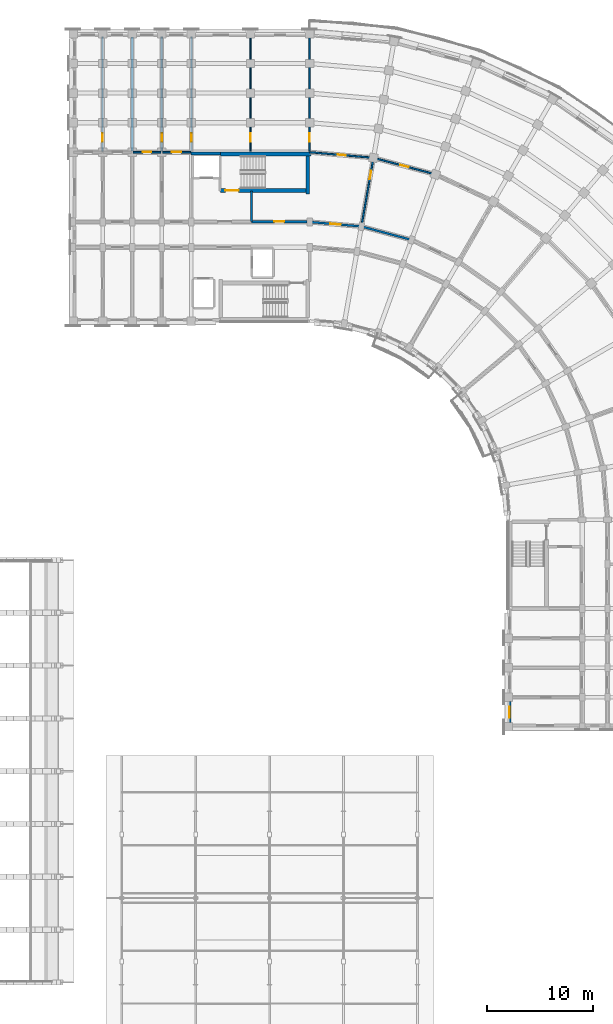
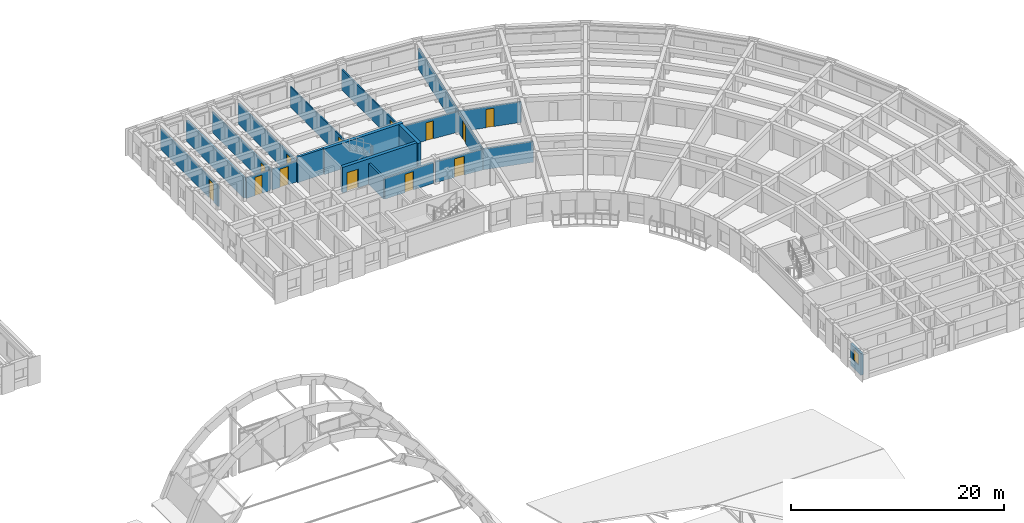
# One storey, part 50 of 76: 20 walls, 13 doors, 1 window, 14 openings.
"""IFC4 building model written with IfcOpenShell, lengths in metres."""

from ifc_helpers import new_model, si_unit, direction, frame, frame_2d, origin, place, context, subcontext, project, spatial, rectangle, extrude, material, layer, layer_set, type_object, element, fill, save


model = new_model("IFC4")

# Units and contexts
model_context = context("Model", 3, precision=1e-05, world=origin(), true_north=direction((0.0, 1.0)))
body_context = subcontext(model_context, "Body", "Model", "MODEL_VIEW")
ifc_project = project(units=[si_unit("LENGTHUNIT", "METRE"), si_unit("AREAUNIT", "SQUARE_METRE"), si_unit("VOLUMEUNIT", "CUBIC_METRE"), si_unit("PLANEANGLEUNIT", "RADIAN"), si_unit("MASSUNIT", "GRAM", prefix="KILO")], contexts=[model_context])

# Site, building, storey
site_placement = place(None, origin())
site = spatial("IfcSite", under=ifc_project, at=site_placement, CompositionType="ELEMENT")
building_placement = place(site_placement, origin())
building = spatial("IfcBuilding", under=site, at=building_placement, Name="Kiranvali Square Residences", CompositionType="ELEMENT")
storey_placement = place(building_placement, frame((0.0, 0.0, 8.699951171875)))
storey = spatial("IfcBuildingStorey", under=building, at=storey_placement, Name="L02", CompositionType="ELEMENT", Elevation=8.699951171875)

# Wall, opening, door
ifc_material_1 = material(Name="Autoclaved aerated concrete blockwork masonry", Category="masonry")
ifc_layer_1 = layer(ifc_material_1, 0.199951171875)
ifc_layer_set_1 = layer_set([ifc_layer_1], Name="Autoclaved aerated concrete blockwork masonry")
wall_type_1 = type_object("IfcWallType", Name="WL-COR-200", PredefinedType="STANDARD", material=ifc_layer_set_1)
wall_1_placement = place(storey_placement, frame((119.800048828125, 116.0, 0.0), z_axis=(0.0, 0.0, 1.0), x_axis=(0.996193663584, -0.087167566415, 0.0)))
wall_1 = element("IfcWall", 1, at=wall_1_placement, inside=storey, type_object=wall_type_1, Name="L02 architectural wall WL-L02-B-CCO-0", PredefinedType="STANDARD", context=body_context, shape_type="SweptSolid", body=[
    extrude(rectangle(XDim=4.91552734375, YDim=0.199951171875, at=frame_2d((2.457763671875, 0.0))), origin(), (0.0, 0.0, 1.0), 2.3720703125),
])
opening_1_placement = place(wall_1_placement, frame((1.957763671875, 0.0, 0.0)))
opening_1 = element("IfcOpeningElement", 2, at=opening_1_placement, cuts=wall_1, Name="Opening FD-APT-60", PredefinedType="OPENING", context=body_context, shape_type="SweptSolid", body=[
    extrude(rectangle(XDim=1.0, YDim=2.14990234375, at=frame_2d((0.5, 1.074951171875))), frame((0.0, 0.10986328125, 0.0), z_axis=(0.0, -1.0, 0.0), x_axis=(1.0, 0.0, 0.0)), (0.0, 0.0, 1.0), 0.219970703125),
])
ifc_material_2 = material(Name="Fire-rated acoustic hardwood and mineral-core door assembly", Category="wood")
door_type_1 = type_object("IfcDoorType", Name="DR-APT-1000", OperationType="NOTDEFINED", PredefinedType="DOOR", material=ifc_material_2)
door_1_placement = place(opening_1_placement, origin())
door_1 = element("IfcDoor", 3, at=door_1_placement, inside=storey, type_object=door_type_1, Name="L02 door DR-L02-1095 (DR-APT-1000)", OperationType="SINGLE_SWING_LEFT", OverallHeight=2.14990234375, OverallWidth=1.0, PredefinedType="DOOR", context=body_context, shape_type="SweptSolid", body=[
    extrude(rectangle(XDim=1.0, YDim=2.14990234375, at=frame_2d((0.5, 1.074951171875))), frame((0.0, 0.02490234375, 0.0), z_axis=(0.0, -1.0, 0.0), x_axis=(1.0, 0.0, 0.0)), (0.0, 0.0, 1.0), 0.050048828125),
])
fill(opening_1, door_1)

# Walls
wall_2_placement = place(storey_placement, frame((124.69677734375, 115.571533203125, 0.0), z_axis=(0.0, 0.0, 1.0), x_axis=(0.965930095386, -0.258803112091, 0.0)))
element("IfcWall", 4, at=wall_2_placement, inside=storey, type_object=wall_type_1, Name="L02 architectural wall WL-L02-B-CCO-1", PredefinedType="STANDARD", context=body_context, shape_type="SweptSolid", body=[
    extrude(rectangle(XDim=4.915771484375, YDim=0.199951171875, at=frame_2d((2.4580078125, 0.0))), origin(), (0.0, 0.0, 1.0), 2.3720703125),
])
ifc_layer_2 = layer(ifc_material_1, 0.219970703125)
ifc_layer_set_2 = layer_set([ifc_layer_2], Name="Autoclaved aerated concrete blockwork masonry")
wall_type_2 = type_object("IfcWallType", Name="WL-DEM-220", PredefinedType="STANDARD", material=ifc_layer_set_2)
wall_3_placement = place(storey_placement, frame((103.0, 122.699951171875, 0.0), z_axis=(0.0, 0.0, 1.0), x_axis=(0.0, 1.0, 0.0)))
element("IfcWall", 5, at=wall_3_placement, inside=storey, type_object=wall_type_2, Name="L02 architectural wall WL-L02-B-A1TO2-2", PredefinedType="STANDARD", context=body_context, shape_type="SweptSolid", body=[
    extrude(rectangle(XDim=10.820068359375, YDim=0.219970703125, at=frame_2d((5.41015625, 0.0))), origin(), (0.0, 0.0, 1.0), 2.3720703125),
])

# Wall, opening, window
ifc_material_3 = material(Name="Breathable lime-rendered clay brick masonry", Category="masonry")
ifc_layer_3 = layer(ifc_material_3, 0.27490234375)
ifc_layer_set_3 = layer_set([ifc_layer_3], Name="Breathable lime-rendered clay brick masonry")
wall_type_3 = type_object("IfcWallType", Name="WL-EXT-275", PredefinedType="STANDARD", material=ifc_layer_set_3)
wall_4_placement = place(storey_placement, frame((138.72509765625, 70.596435546875, 0.0), z_axis=(0.0, 0.0, 1.0), x_axis=(0.0, -1.0, 0.0)))
wall_4 = element("IfcWall", 6, at=wall_4_placement, inside=storey, type_object=wall_type_3, Name="L02 exterior wall B-L02-A2I-3", PredefinedType="STANDARD", context=body_context, shape_type="SweptSolid", body=[
    extrude(rectangle(XDim=1.992919921875, YDim=0.27490234375, at=frame_2d((0.99658203125, 0.0))), origin(), (0.0, 0.0, 1.0), 2.47216796875),
])
opening_2_placement = place(wall_4_placement, frame((0.471435546875, 0.0, 0.8798828125)))
opening_2 = element("IfcOpeningElement", 7, at=opening_2_placement, cuts=wall_4, Name="Opening W-24", PredefinedType="OPENING", context=body_context, shape_type="SweptSolid", body=[
    extrude(rectangle(XDim=1.050048828125, YDim=1.25, at=frame_2d((0.52490234375, 0.625))), frame((0.0, 0.1474609375, 0.0), z_axis=(0.0, -1.0, 0.0), x_axis=(1.0, 0.0, 0.0)), (0.0, 0.0, 1.0), 0.294921875),
])
ifc_material_4 = material(Name="Solar-control low-e double glazing", Category="glass")
window_type = type_object("IfcWindowType", Name="WIN-COR-1050x1250", PartitioningType="SINGLE_PANEL", PredefinedType="WINDOW", material=ifc_material_4)
window_placement = place(opening_2_placement, origin())
window = element("IfcWindow", 8, at=window_placement, inside=storey, type_object=window_type, Name="L02 recessed window B-L02-A2I-3", OverallHeight=1.25, OverallWidth=1.050048828125, PartitioningType="SINGLE_PANEL", PredefinedType="WINDOW", context=body_context, shape_type="SweptSolid", body=[
    extrude(rectangle(XDim=1.050048828125, YDim=1.25, at=frame_2d((0.52490234375, 0.625))), frame((0.0, 0.030029296875, 0.0), z_axis=(0.0, -1.0, 0.0), x_axis=(1.0, 0.0, 0.0)), (0.0, 0.0, 1.0), 0.06005859375),
])
fill(opening_2, window)

# Wall
ifc_layer_4 = layer(ifc_material_1, 0.199951171875)
ifc_layer_set_4 = layer_set([ifc_layer_4], Name="Autoclaved aerated concrete blockwork masonry")
wall_type_4 = type_object("IfcWallType", Name="WL-FFL-200", PredefinedType="STANDARD", material=ifc_layer_set_4)
wall_5_placement = place(storey_placement, frame((114.300048828125, 116.02001953125, 0.0), z_axis=(0.0, 0.0, 1.0), x_axis=(0.0, 1.0, 0.0)))
element("IfcWall", 9, at=wall_5_placement, inside=storey, type_object=wall_type_4, Name="L02 architectural wall WL-L02-B-FF-DIV", PredefinedType="STANDARD", context=body_context, shape_type="SweptSolid", body=[
    extrude(rectangle(XDim=2.929931640625, YDim=0.199951171875, at=frame_2d((1.46484375, 0.0))), origin(), (0.0, 0.0, 1.0), 2.3720703125),
])

# Wall, opening, door
ifc_material_5 = material(Name="Acoustic gypsum board drylined partition", Category="gypsum")
ifc_layer_5 = layer(ifc_material_5, 0.125)
ifc_layer_set_5 = layer_set([ifc_layer_5], Name="Acoustic gypsum board drylined partition")
wall_type_5 = type_object("IfcWallType", Name="WL-PRT-125", PredefinedType="PARTITIONING", material=ifc_layer_set_5)
wall_6_placement = place(storey_placement, frame((114.199951171875, 122.699951171875, 0.0), z_axis=(0.0, 0.0, 1.0), x_axis=(0.0, 1.0, 0.0)))
wall_6 = element("IfcWall", 10, at=wall_6_placement, inside=storey, type_object=wall_type_5, Name="L02 architectural wall WL-L02-B-CF-MID", PredefinedType="PARTITIONING", context=body_context, shape_type="SweptSolid", body=[
    extrude(rectangle(XDim=10.820068359375, YDim=0.125, at=frame_2d((5.41015625, 0.0))), origin(), (0.0, 0.0, 1.0), 2.3720703125),
])
opening_3_placement = place(wall_6_placement, frame((0.8994140625, 0.0, 0.0)))
opening_3 = element("IfcOpeningElement", 11, at=opening_3_placement, cuts=wall_6, Name="Opening ID-WET", PredefinedType="OPENING", context=body_context, shape_type="SweptSolid", body=[
    extrude(rectangle(XDim=0.800048828125, YDim=2.10009765625, at=frame_2d((0.39990234375, 1.050048828125))), frame((0.0, 0.072509765625, 0.0), z_axis=(0.0, -1.0, 0.0), x_axis=(1.0, 0.0, 0.0)), (0.0, 0.0, 1.0), 0.14501953125),
])
ifc_material_6 = material(Name="Solid seasoned teak hardwood joinery", Category="wood")
door_type_2 = type_object("IfcDoorType", Name="DR-WET-800", OperationType="NOTDEFINED", PredefinedType="DOOR", material=ifc_material_6)
door_2_placement = place(opening_3_placement, frame((0.800048828125, 0.0, 0.0), z_axis=(0.0, 0.0, 1.0), x_axis=(-1.0, 0.0, 0.0)))
door_2 = element("IfcDoor", 12, at=door_2_placement, inside=storey, type_object=door_type_2, Name="L02 door DR-L02-1074 (DR-WET-800)", OperationType="SINGLE_SWING_RIGHT", OverallHeight=2.10009765625, OverallWidth=0.800048828125, PredefinedType="DOOR", context=body_context, shape_type="SweptSolid", body=[
    extrude(rectangle(XDim=0.800048828125, YDim=2.10009765625, at=frame_2d((0.39990234375, 1.050048828125))), frame((0.0, 0.02490234375, 0.0), z_axis=(0.0, -1.0, 0.0), x_axis=(1.0, 0.0, 0.0)), (0.0, 0.0, 1.0), 0.050048828125),
])
fill(opening_3, door_2)

ifc_layer_6 = layer(ifc_material_5, 0.14990234375)
ifc_layer_set_6 = layer_set([ifc_layer_6], Name="Acoustic gypsum board drylined partition")
wall_type_6 = type_object("IfcWallType", Name="WL-PRT-150", PredefinedType="PARTITIONING", material=ifc_layer_set_6)
wall_7_placement = place(storey_placement, frame((108.60009765625, 122.699951171875, 0.0), z_axis=(0.0, 0.0, 1.0), x_axis=(0.0, 1.0, 0.0)))
wall_7 = element("IfcWall", 13, at=wall_7_placement, inside=storey, type_object=wall_type_6, Name="L02 architectural wall WL-L02-B-A1TO2-0", PredefinedType="PARTITIONING", context=body_context, shape_type="SweptSolid", body=[
    extrude(rectangle(XDim=10.820068359375, YDim=0.14990234375, at=frame_2d((5.41015625, 0.0))), origin(), (0.0, 0.0, 1.0), 2.3720703125),
])
opening_4_placement = place(wall_7_placement, frame((0.8994140625, 0.0, 0.0)))
opening_4 = element("IfcOpeningElement", 14, at=opening_4_placement, cuts=wall_7, Name="Opening ID-WET", PredefinedType="OPENING", context=body_context, shape_type="SweptSolid", body=[
    extrude(rectangle(XDim=0.800048828125, YDim=2.10009765625, at=frame_2d((0.39990234375, 1.050048828125))), frame((0.0, 0.0849609375, 0.0), z_axis=(0.0, -1.0, 0.0), x_axis=(1.0, 0.0, 0.0)), (0.0, 0.0, 1.0), 0.169921875),
])
door_3_placement = place(opening_4_placement, origin())
door_3 = element("IfcDoor", 15, at=door_3_placement, inside=storey, type_object=door_type_2, Name="L02 door DR-L02-1083 (DR-WET-800)", OperationType="SINGLE_SWING_LEFT", OverallHeight=2.10009765625, OverallWidth=0.800048828125, PredefinedType="DOOR", context=body_context, shape_type="SweptSolid", body=[
    extrude(rectangle(XDim=0.800048828125, YDim=2.10009765625, at=frame_2d((0.39990234375, 1.050048828125))), frame((0.0, 0.02490234375, 0.0), z_axis=(0.0, -1.0, 0.0), x_axis=(1.0, 0.0, 0.0)), (0.0, 0.0, 1.0), 0.050048828125),
])
fill(opening_4, door_3)

wall_8_placement = place(storey_placement, frame((105.800048828125, 122.699951171875, 0.0), z_axis=(0.0, 0.0, 1.0), x_axis=(0.0, 1.0, 0.0)))
wall_8 = element("IfcWall", 16, at=wall_8_placement, inside=storey, type_object=wall_type_6, Name="L02 architectural wall WL-L02-B-A1TO2-1", PredefinedType="PARTITIONING", context=body_context, shape_type="SweptSolid", body=[
    extrude(rectangle(XDim=10.820068359375, YDim=0.14990234375, at=frame_2d((5.41015625, 0.0))), origin(), (0.0, 0.0, 1.0), 2.3720703125),
])
opening_5_placement = place(wall_8_placement, frame((0.8994140625, 0.0, 0.0)))
opening_5 = element("IfcOpeningElement", 17, at=opening_5_placement, cuts=wall_8, Name="Opening ID-WET", PredefinedType="OPENING", context=body_context, shape_type="SweptSolid", body=[
    extrude(rectangle(XDim=0.800048828125, YDim=2.10009765625, at=frame_2d((0.39990234375, 1.050048828125))), frame((0.0, 0.0849609375, 0.0), z_axis=(0.0, -1.0, 0.0), x_axis=(1.0, 0.0, 0.0)), (0.0, 0.0, 1.0), 0.169921875),
])
door_4_placement = place(opening_5_placement, frame((0.800048828125, 0.0, 0.0), z_axis=(0.0, 0.0, 1.0), x_axis=(-1.0, 0.0, 0.0)))
door_4 = element("IfcDoor", 18, at=door_4_placement, inside=storey, type_object=door_type_2, Name="L02 door DR-L02-1086 (DR-WET-800)", OperationType="SINGLE_SWING_RIGHT", OverallHeight=2.10009765625, OverallWidth=0.800048828125, PredefinedType="DOOR", context=body_context, shape_type="SweptSolid", body=[
    extrude(rectangle(XDim=0.800048828125, YDim=2.10009765625, at=frame_2d((0.39990234375, 1.050048828125))), frame((0.0, 0.02490234375, 0.0), z_axis=(0.0, -1.0, 0.0), x_axis=(1.0, 0.0, 0.0)), (0.0, 0.0, 1.0), 0.050048828125),
])
fill(opening_5, door_4)

wall_9_placement = place(storey_placement, frame((100.199951171875, 122.699951171875, 0.0), z_axis=(0.0, 0.0, 1.0), x_axis=(0.0, 1.0, 0.0)))
wall_9 = element("IfcWall", 19, at=wall_9_placement, inside=storey, type_object=wall_type_6, Name="L02 architectural wall WL-L02-B-A1TO2-3", PredefinedType="PARTITIONING", context=body_context, shape_type="SweptSolid", body=[
    extrude(rectangle(XDim=10.820068359375, YDim=0.14990234375, at=frame_2d((5.41015625, 0.0))), origin(), (0.0, 0.0, 1.0), 2.3720703125),
])
opening_6_placement = place(wall_9_placement, frame((0.8994140625, 0.0, 0.0)))
opening_6 = element("IfcOpeningElement", 20, at=opening_6_placement, cuts=wall_9, Name="Opening ID-WET", PredefinedType="OPENING", context=body_context, shape_type="SweptSolid", body=[
    extrude(rectangle(XDim=0.800048828125, YDim=2.10009765625, at=frame_2d((0.39990234375, 1.050048828125))), frame((0.0, 0.0849609375, 0.0), z_axis=(0.0, -1.0, 0.0), x_axis=(1.0, 0.0, 0.0)), (0.0, 0.0, 1.0), 0.169921875),
])
door_5_placement = place(opening_6_placement, origin())
door_5 = element("IfcDoor", 21, at=door_5_placement, inside=storey, type_object=door_type_2, Name="L02 door DR-L02-1089 (DR-WET-800)", OperationType="SINGLE_SWING_LEFT", OverallHeight=2.10009765625, OverallWidth=0.800048828125, PredefinedType="DOOR", context=body_context, shape_type="SweptSolid", body=[
    extrude(rectangle(XDim=0.800048828125, YDim=2.10009765625, at=frame_2d((0.39990234375, 1.050048828125))), frame((0.0, 0.02490234375, 0.0), z_axis=(0.0, -1.0, 0.0), x_axis=(1.0, 0.0, 0.0)), (0.0, 0.0, 1.0), 0.050048828125),
])
fill(opening_6, door_5)

wall_10_placement = place(storey_placement, frame((119.800048828125, 122.699951171875, 0.0), z_axis=(0.0, 0.0, 1.0), x_axis=(0.0, 1.0, 0.0)))
wall_10 = element("IfcWall", 22, at=wall_10_placement, inside=storey, type_object=wall_type_6, Name="L02 architectural wall WL-L02-B-RADO-0", PredefinedType="PARTITIONING", context=body_context, shape_type="SweptSolid", body=[
    extrude(rectangle(XDim=10.820068359375, YDim=0.14990234375, at=frame_2d((5.41015625, 0.0))), origin(), (0.0, 0.0, 1.0), 2.3720703125),
])
opening_7_placement = place(wall_10_placement, frame((0.8994140625, 0.0, 0.0)))
opening_7 = element("IfcOpeningElement", 23, at=opening_7_placement, cuts=wall_10, Name="Opening ID-WET", PredefinedType="OPENING", context=body_context, shape_type="SweptSolid", body=[
    extrude(rectangle(XDim=0.800048828125, YDim=2.10009765625, at=frame_2d((0.39990234375, 1.050048828125))), frame((0.0, 0.0849609375, 0.0), z_axis=(0.0, -1.0, 0.0), x_axis=(1.0, 0.0, 0.0)), (0.0, 0.0, 1.0), 0.169921875),
])
door_6_placement = place(opening_7_placement, frame((0.800048828125, 0.0, 0.0), z_axis=(0.0, 0.0, 1.0), x_axis=(-1.0, 0.0, 0.0)))
door_6 = element("IfcDoor", 24, at=door_6_placement, inside=storey, type_object=door_type_2, Name="L02 door DR-L02-1090 (DR-WET-800)", OperationType="SINGLE_SWING_RIGHT", OverallHeight=2.10009765625, OverallWidth=0.800048828125, PredefinedType="DOOR", context=body_context, shape_type="SweptSolid", body=[
    extrude(rectangle(XDim=0.800048828125, YDim=2.10009765625, at=frame_2d((0.39990234375, 1.050048828125))), frame((0.0, 0.02490234375, 0.0), z_axis=(0.0, -1.0, 0.0), x_axis=(1.0, 0.0, 0.0)), (0.0, 0.0, 1.0), 0.050048828125),
])
fill(opening_7, door_6)

wall_11_placement = place(storey_placement, frame((124.71435546875, 115.670166015625, 0.0), z_axis=(0.0, 0.0, 1.0), x_axis=(0.173646216546, 0.984808098809, 0.0)))
wall_11 = element("IfcWall", 25, at=wall_11_placement, inside=storey, type_object=wall_type_6, Name="L02 architectural wall WL-L02-B-RADO-1", PredefinedType="PARTITIONING", context=body_context, shape_type="SweptSolid", body=[
    extrude(rectangle(XDim=17.419921875, YDim=0.14990234375, at=frame_2d((8.7099609375, 0.0))), origin(), (0.0, 0.0, 1.0), 2.3720703125),
])
opening_8_placement = place(wall_11_placement, frame((4.44970703125, 0.0, 0.0)))
opening_8 = element("IfcOpeningElement", 26, at=opening_8_placement, cuts=wall_11, Name="Opening ID-WET", PredefinedType="OPENING", context=body_context, shape_type="SweptSolid", body=[
    extrude(rectangle(XDim=0.800048828125, YDim=2.10009765625, at=frame_2d((0.39990234375, 1.050048828125))), frame((0.0, 0.0849609375, 0.0), z_axis=(0.0, -1.0, 0.0), x_axis=(1.0, 0.0, 0.0)), (0.0, 0.0, 1.0), 0.169921875),
])
door_7_placement = place(opening_8_placement, origin())
door_7 = element("IfcDoor", 27, at=door_7_placement, inside=storey, type_object=door_type_2, Name="L02 door DR-L02-1091 (DR-WET-800)", OperationType="SINGLE_SWING_LEFT", OverallHeight=2.10009765625, OverallWidth=0.800048828125, PredefinedType="DOOR", context=body_context, shape_type="SweptSolid", body=[
    extrude(rectangle(XDim=0.800048828125, YDim=2.10009765625, at=frame_2d((0.39990234375, 1.050048828125))), frame((0.0, 0.02490234375, 0.0), z_axis=(0.0, -1.0, 0.0), x_axis=(1.0, 0.0, 0.0)), (0.0, 0.0, 1.0), 0.050048828125),
])
fill(opening_8, door_7)

ifc_layer_7 = layer(ifc_material_1, 0.199951171875)
ifc_layer_set_7 = layer_set([ifc_layer_7], Name="Autoclaved aerated concrete blockwork masonry")
wall_type_7 = type_object("IfcWallType", Name="WL-SHF-200", PredefinedType="STANDARD", material=ifc_layer_set_7)
wall_12_placement = place(storey_placement, frame((119.550048828125, 116.02001953125, 0.0), z_axis=(0.0, 0.0, 1.0), x_axis=(-1.0, 0.0, 0.0)))
wall_12 = element("IfcWall", 28, at=wall_12_placement, inside=storey, type_object=wall_type_7, Name="L02 architectural wall WL-L02-B-RSR-COR", PredefinedType="STANDARD", context=body_context, shape_type="SweptSolid", body=[
    extrude(rectangle(XDim=5.25, YDim=0.199951171875, at=frame_2d((2.625, 0.0))), origin(), (0.0, 0.0, 1.0), 2.3720703125),
])
opening_9_placement = place(wall_12_placement, frame((2.1650390625, 0.0, 0.0)))
opening_9 = element("IfcOpeningElement", 29, at=opening_9_placement, cuts=wall_12, Name="Opening FD-SVC-120", PredefinedType="OPENING", context=body_context, shape_type="SweptSolid", body=[
    extrude(rectangle(XDim=0.919921875, YDim=2.10009765625, at=frame_2d((0.4599609375, 1.050048828125))), frame((0.0, 0.10986328125, 0.0), z_axis=(0.0, -1.0, 0.0), x_axis=(1.0, 0.0, 0.0)), (0.0, 0.0, 1.0), 0.219970703125),
])
door_type_3 = type_object("IfcDoorType", Name="DR-SVC-900", OperationType="NOTDEFINED", PredefinedType="DOOR", material=ifc_material_2)
door_8_placement = place(opening_9_placement, frame((0.919921875, 0.0, 0.0), z_axis=(0.0, 0.0, 1.0), x_axis=(-1.0, 0.0, 0.0)))
door_8 = element("IfcDoor", 30, at=door_8_placement, inside=storey, type_object=door_type_3, Name="L02 door DR-L02-1064 (DR-SVC-900)", OperationType="SINGLE_SWING_RIGHT", OverallHeight=2.10009765625, OverallWidth=0.919921875, PredefinedType="DOOR", context=body_context, shape_type="SweptSolid", body=[
    extrude(rectangle(XDim=0.919921875, YDim=2.10009765625, at=frame_2d((0.4599609375, 1.050048828125))), frame((0.0, 0.02490234375, 0.0), z_axis=(0.0, -1.0, 0.0), x_axis=(1.0, 0.0, 0.0)), (0.0, 0.0, 1.0), 0.050048828125),
])
fill(opening_9, door_8)

# Walls
ifc_material_7 = material(Name="Concrete M45 (45 MPa)", Category="concrete")
ifc_layer_8 = layer(ifc_material_7, 0.25)
ifc_layer_set_8 = layer_set([ifc_layer_8], Name="Concrete M45 (45 MPa)")
wall_type_8 = type_object("IfcWallType", Name="WL-SHR-250", PredefinedType="SHEAR", material=ifc_layer_set_8)
wall_13_placement = place(storey_placement, frame((111.35009765625, 122.47509765625, 0.0), z_axis=(0.0, 0.0, 1.0), x_axis=(-1.0, 0.0, 0.0)))
element("IfcWall", 31, at=wall_13_placement, inside=storey, type_object=wall_type_8, Name="Block B core shear wall SW-BFF-BK-L02", PredefinedType="SHEAR", context=body_context, shape_type="SweptSolid", body=[
    extrude(rectangle(XDim=2.800048828125, YDim=0.25, at=frame_2d((1.39990234375, 0.0))), origin(), (0.0, 0.0, 1.0), 2.929931640625),
])
ifc_material_8 = material(Name="Concrete M50 (50 MPa)", Category="concrete")
ifc_layer_9 = layer(ifc_material_8, 0.35009765625)
ifc_layer_set_9 = layer_set([ifc_layer_9], Name="Concrete M50 (50 MPa)")
wall_type_9 = type_object("IfcWallType", Name="WL-SHR-350", PredefinedType="SHEAR", material=ifc_layer_set_9)
wall_14_placement = place(storey_placement, frame((119.919921875, 122.425048828125, 0.0), z_axis=(0.0, 0.0, 1.0), x_axis=(-1.0, 0.0, 0.0)))
element("IfcWall", 32, at=wall_14_placement, inside=storey, type_object=wall_type_9, Name="Block B core shear wall SW-B1-OUT-L02", PredefinedType="SHEAR", context=body_context, shape_type="SweptSolid", body=[
    extrude(rectangle(XDim=8.544921875, YDim=0.35009765625, at=frame_2d((4.2724609375, 0.0))), origin(), (0.0, 0.0, 1.0), 2.929931640625),
])

# Wall, opening, door
wall_15_placement = place(storey_placement, frame((119.449951171875, 118.97509765625, 0.0), z_axis=(0.0, 0.0, 1.0), x_axis=(-1.0, 0.0, 0.0)))
wall_15 = element("IfcWall", 33, at=wall_15_placement, inside=storey, type_object=wall_type_9, Name="Block B core shear wall SW-B1-IN-L02", PredefinedType="SHEAR", context=body_context, shape_type="SweptSolid", body=[
    extrude(rectangle(XDim=8.074951171875, YDim=0.35009765625, at=frame_2d((4.03759765625, 0.0))), origin(), (0.0, 0.0, 1.0), 2.929931640625),
])
opening_10_placement = place(wall_15_placement, frame((6.3798828125, 0.0, 0.0)))
opening_10 = element("IfcOpeningElement", 34, at=opening_10_placement, cuts=wall_15, Name="Opening FD-ST-120", PredefinedType="OPENING", context=body_context, shape_type="SweptSolid", body=[
    extrude(rectangle(XDim=1.239990234375, YDim=2.14990234375, at=frame_2d((0.6201171875, 1.074951171875))), frame((0.0, 0.18505859375, 0.0), z_axis=(0.0, -1.0, 0.0), x_axis=(1.0, 0.0, 0.0)), (0.0, 0.0, 1.0), 0.3701171875),
])
door_type_4 = type_object("IfcDoorType", Name="DR-FD120-1200", OperationType="NOTDEFINED", PredefinedType="DOOR", material=ifc_material_2)
door_9_placement = place(opening_10_placement, frame((1.239990234375, 0.0, 0.0), z_axis=(0.0, 0.0, 1.0), x_axis=(-1.0, 0.0, 0.0)))
door_9 = element("IfcDoor", 35, at=door_9_placement, inside=storey, type_object=door_type_4, Name="L02 door DR-L02-1066 (DR-FD120-1200)", OperationType="SINGLE_SWING_RIGHT", OverallHeight=2.14990234375, OverallWidth=1.239990234375, PredefinedType="DOOR", context=body_context, shape_type="SweptSolid", body=[
    extrude(rectangle(XDim=1.239990234375, YDim=2.14990234375, at=frame_2d((0.6201171875, 1.074951171875))), frame((0.0, 0.02490234375, 0.0), z_axis=(0.0, -1.0, 0.0), x_axis=(1.0, 0.0, 0.0)), (0.0, 0.0, 1.0), 0.050048828125),
])
fill(opening_10, door_9)

# Wall
wall_16_placement = place(storey_placement, frame((119.625, 118.64990234375, 0.0), z_axis=(0.0, 0.0, 1.0), x_axis=(0.0, 1.0, 0.0)))
element("IfcWall", 36, at=wall_16_placement, inside=storey, type_object=wall_type_9, Name="Block B core shear wall SW-B1-FAR-L02", PredefinedType="SHEAR", context=body_context, shape_type="SweptSolid", body=[
    extrude(rectangle(XDim=3.60009765625, YDim=0.35009765625, at=frame_2d((1.800048828125, 0.0))), origin(), (0.0, 0.0, 1.0), 2.929931640625),
])

# Wall, opening, door
ifc_layer_10 = layer(ifc_material_1, 0.14990234375)
ifc_layer_set_10 = layer_set([ifc_layer_10], Name="Autoclaved aerated concrete blockwork masonry")
wall_type_10 = type_object("IfcWallType", Name="WL-WET-150", PredefinedType="PLUMBINGWALL", material=ifc_layer_set_10)
wall_17_placement = place(storey_placement, frame((108.52001953125, 122.60009765625, 0.0), z_axis=(0.0, 0.0, 1.0), x_axis=(-1.0, 0.0, 0.0)))
wall_17 = element("IfcWall", 37, at=wall_17_placement, inside=storey, type_object=wall_type_10, Name="L02 architectural wall WL-L02-B-A1SP-0", PredefinedType="PLUMBINGWALL", context=body_context, shape_type="SweptSolid", body=[
    extrude(rectangle(XDim=2.64013671875, YDim=0.14990234375, at=frame_2d((1.320068359375, 0.0))), origin(), (0.0, 0.0, 1.0), 2.3720703125),
])
opening_11_placement = place(wall_17_placement, frame((0.8701171875, 0.0, 0.0)))
opening_11 = element("IfcOpeningElement", 38, at=opening_11_placement, cuts=wall_17, Name="Opening ID-1", PredefinedType="OPENING", context=body_context, shape_type="SweptSolid", body=[
    extrude(rectangle(XDim=0.89990234375, YDim=2.10009765625, at=frame_2d((0.449951171875, 1.050048828125))), frame((0.0, 0.0849609375, 0.0), z_axis=(0.0, -1.0, 0.0), x_axis=(1.0, 0.0, 0.0)), (0.0, 0.0, 1.0), 0.169921875),
])
door_type_5 = type_object("IfcDoorType", Name="DR-INT-900", OperationType="NOTDEFINED", PredefinedType="DOOR", material=ifc_material_6)
door_10_placement = place(opening_11_placement, frame((0.89990234375, 0.0, 0.0), z_axis=(0.0, 0.0, 1.0), x_axis=(-1.0, 0.0, 0.0)))
door_10 = element("IfcDoor", 39, at=door_10_placement, inside=storey, type_object=door_type_5, Name="L02 door DR-L02-1076 (DR-INT-900)", OperationType="SINGLE_SWING_RIGHT", OverallHeight=2.10009765625, OverallWidth=0.89990234375, PredefinedType="DOOR", context=body_context, shape_type="SweptSolid", body=[
    extrude(rectangle(XDim=0.89990234375, YDim=2.10009765625, at=frame_2d((0.449951171875, 1.050048828125))), frame((0.0, 0.02490234375, 0.0), z_axis=(0.0, -1.0, 0.0), x_axis=(1.0, 0.0, 0.0)), (0.0, 0.0, 1.0), 0.050048828125),
])
fill(opening_11, door_10)

wall_18_placement = place(storey_placement, frame((105.719970703125, 122.60009765625, 0.0), z_axis=(0.0, 0.0, 1.0), x_axis=(-1.0, 0.0, 0.0)))
wall_18 = element("IfcWall", 40, at=wall_18_placement, inside=storey, type_object=wall_type_10, Name="L02 architectural wall WL-L02-B-A1SP-1", PredefinedType="PLUMBINGWALL", context=body_context, shape_type="SweptSolid", body=[
    extrude(rectangle(XDim=2.639892578125, YDim=0.14990234375, at=frame_2d((1.31982421875, 0.0))), origin(), (0.0, 0.0, 1.0), 2.3720703125),
])
opening_12_placement = place(wall_18_placement, frame((0.919921875, 0.0, 0.0)))
opening_12 = element("IfcOpeningElement", 41, at=opening_12_placement, cuts=wall_18, Name="Opening ID-WET", PredefinedType="OPENING", context=body_context, shape_type="SweptSolid", body=[
    extrude(rectangle(XDim=0.800048828125, YDim=2.10009765625, at=frame_2d((0.39990234375, 1.050048828125))), frame((0.0, 0.0849609375, 0.0), z_axis=(0.0, -1.0, 0.0), x_axis=(1.0, 0.0, 0.0)), (0.0, 0.0, 1.0), 0.169921875),
])
door_11_placement = place(opening_12_placement, frame((0.800048828125, 0.0, 0.0), z_axis=(0.0, 0.0, 1.0), x_axis=(-1.0, 0.0, 0.0)))
door_11 = element("IfcDoor", 42, at=door_11_placement, inside=storey, type_object=door_type_2, Name="L02 door DR-L02-1078 (DR-WET-800)", OperationType="SINGLE_SWING_RIGHT", OverallHeight=2.10009765625, OverallWidth=0.800048828125, PredefinedType="DOOR", context=body_context, shape_type="SweptSolid", body=[
    extrude(rectangle(XDim=0.800048828125, YDim=2.10009765625, at=frame_2d((0.39990234375, 1.050048828125))), frame((0.0, 0.02490234375, 0.0), z_axis=(0.0, -1.0, 0.0), x_axis=(1.0, 0.0, 0.0)), (0.0, 0.0, 1.0), 0.050048828125),
])
fill(opening_12, door_11)

wall_19_placement = place(storey_placement, frame((119.800048828125, 122.60009765625, 0.0), z_axis=(0.0, 0.0, 1.0), x_axis=(0.996193018494, -0.087174938512, 0.0)))
wall_19 = element("IfcWall", 43, at=wall_19_placement, inside=storey, type_object=wall_type_10, Name="L02 architectural wall WL-L02-B-CWET-0", PredefinedType="PLUMBINGWALL", context=body_context, shape_type="SweptSolid", body=[
    extrude(rectangle(XDim=6.066162109375, YDim=0.14990234375, at=frame_2d((3.033203125, 0.0))), origin(), (0.0, 0.0, 1.0), 2.3720703125),
])
opening_13_placement = place(wall_19_placement, frame((2.653076171875, 0.0, 0.0)))
opening_13 = element("IfcOpeningElement", 44, at=opening_13_placement, cuts=wall_19, Name="Opening ID-WET0", PredefinedType="OPENING", context=body_context, shape_type="SweptSolid", body=[
    extrude(rectangle(XDim=0.760009765625, YDim=2.050048828125, at=frame_2d((0.3798828125, 1.02490234375))), frame((0.0, 0.0849609375, 0.0), z_axis=(0.0, -1.0, 0.0), x_axis=(1.0, 0.0, 0.0)), (0.0, 0.0, 1.0), 0.169921875),
])
door_type_6 = type_object("IfcDoorType", Name="DR-WET-760", OperationType="NOTDEFINED", PredefinedType="DOOR", material=ifc_material_6)
door_12_placement = place(opening_13_placement, frame((0.760009765625, 0.0, 0.0), z_axis=(0.0, 0.0, 1.0), x_axis=(-1.0, 0.0, 0.0)))
door_12 = element("IfcDoor", 45, at=door_12_placement, inside=storey, type_object=door_type_6, Name="L02 door DR-L02-1096 (DR-WET-760)", OperationType="SINGLE_SWING_RIGHT", OverallHeight=2.050048828125, OverallWidth=0.760009765625, PredefinedType="DOOR", context=body_context, shape_type="SweptSolid", body=[
    extrude(rectangle(XDim=0.760009765625, YDim=2.050048828125, at=frame_2d((0.3798828125, 1.02490234375))), frame((0.0, 0.02490234375, 0.0), z_axis=(0.0, -1.0, 0.0), x_axis=(1.0, 0.0, 0.0)), (0.0, 0.0, 1.0), 0.050048828125),
])
fill(opening_13, door_12)

wall_20_placement = place(storey_placement, frame((125.843017578125, 122.0712890625, 0.0), z_axis=(0.0, 0.0, 1.0), x_axis=(0.965923618901, -0.258827283048, 0.0)))
wall_20 = element("IfcWall", 46, at=wall_20_placement, inside=storey, type_object=wall_type_10, Name="L02 architectural wall WL-L02-B-CWET-1", PredefinedType="PLUMBINGWALL", context=body_context, shape_type="SweptSolid", body=[
    extrude(rectangle(XDim=6.066162109375, YDim=0.14990234375, at=frame_2d((3.033203125, 0.0))), origin(), (0.0, 0.0, 1.0), 2.3720703125),
])
opening_14_placement = place(wall_20_placement, frame((2.633056640625, 0.0, 0.0)))
opening_14 = element("IfcOpeningElement", 47, at=opening_14_placement, cuts=wall_20, Name="Opening ID-WET", PredefinedType="OPENING", context=body_context, shape_type="SweptSolid", body=[
    extrude(rectangle(XDim=0.800048828125, YDim=2.10009765625, at=frame_2d((0.39990234375, 1.050048828125))), frame((0.0, 0.0849609375, 0.0), z_axis=(0.0, -1.0, 0.0), x_axis=(1.0, 0.0, 0.0)), (0.0, 0.0, 1.0), 0.169921875),
])
door_13_placement = place(opening_14_placement, origin())
door_13 = element("IfcDoor", 48, at=door_13_placement, inside=storey, type_object=door_type_2, Name="L02 door DR-L02-1097 (DR-WET-800)", OperationType="SINGLE_SWING_LEFT", OverallHeight=2.10009765625, OverallWidth=0.800048828125, PredefinedType="DOOR", context=body_context, shape_type="SweptSolid", body=[
    extrude(rectangle(XDim=0.800048828125, YDim=2.10009765625, at=frame_2d((0.39990234375, 1.050048828125))), frame((0.0, 0.02490234375, 0.0), z_axis=(0.0, -1.0, 0.0), x_axis=(1.0, 0.0, 0.0)), (0.0, 0.0, 1.0), 0.050048828125),
])
fill(opening_14, door_13)

save(model, "model.ifc")
